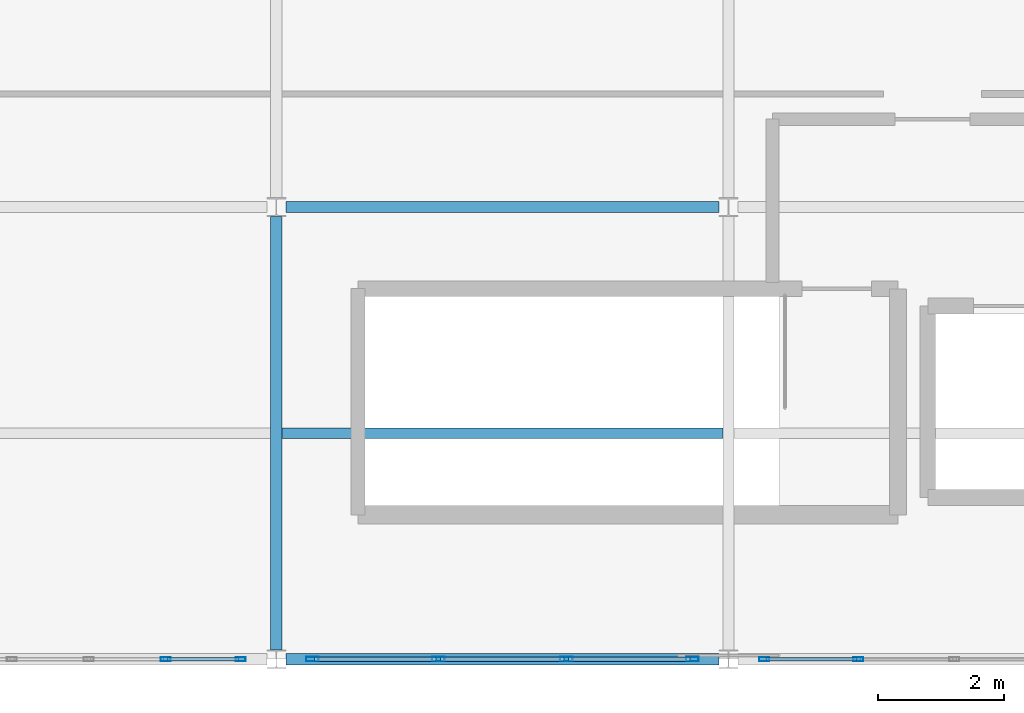
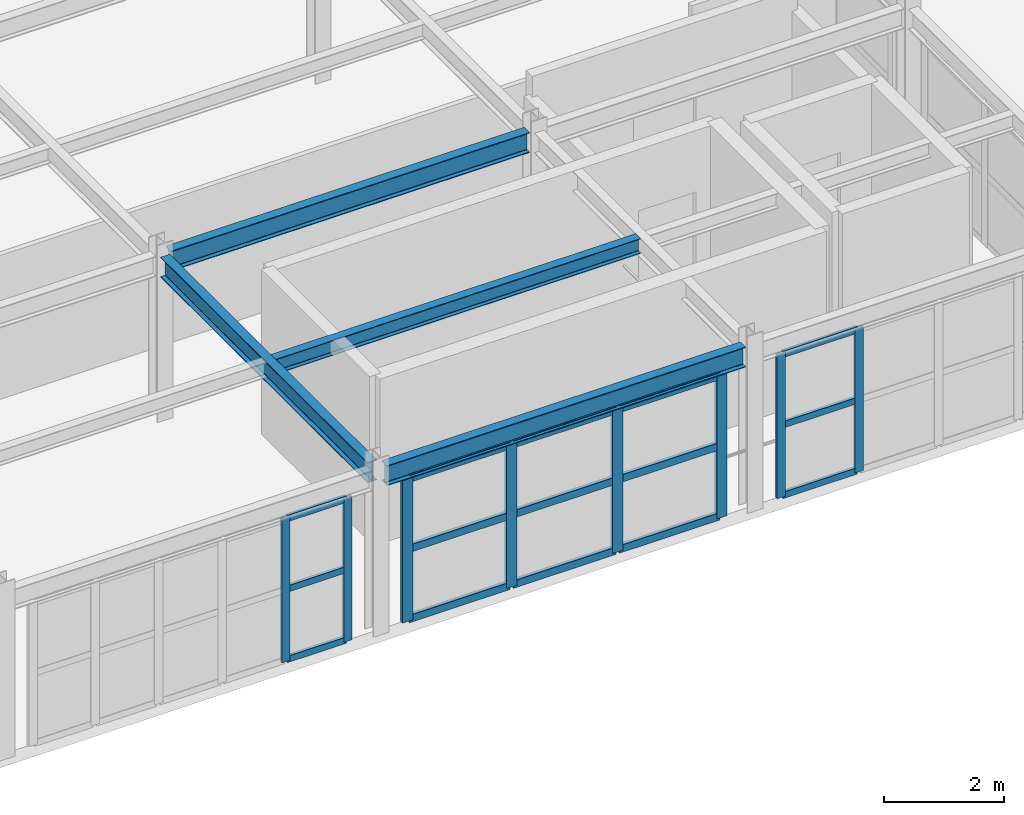
# One storey, part 41 of 73: 23 members, 4 beams, 3 elements without a shape of their own.
"""IFC4 building model written with IfcOpenShell, lengths in metres."""

import ifcopenshell
import ifcopenshell.guid

model = None  # the IFC model being written
_history = None  # IfcOwnerHistory: only IFC2X3 demands one
_inside = {}  # id of a spatial element -> (the spatial element, [elements in it])
_under = {}  # id of a project, library or spatial element -> (it, [spatial elements below it])
_declared = {}  # id of a project -> (the project, [libraries it declares])
_typed = {}  # id of a type object -> (the type object, [elements of that type])
_made_of = {}  # id of a material, layer set ... -> (it, [elements and type objects made of it])


def new_model(schema):
    """Start an empty IFC model of exactly this schema.

    Asked for "IFC4X3", IfcOpenShell would pick the latest addendum, in which some entities
    have other attributes; the version numbers below select the first issue.
    IFC2X3 requires an IfcOwnerHistory on every rooted entity: one is made here for all.
    """
    global model, _history
    if schema == "IFC4X3":
        model = ifcopenshell.file(schema_version=(4, 3, 0, 0))
    else:
        model = ifcopenshell.file(schema=schema)
    _inside.clear()
    _under.clear()
    _declared.clear()
    _typed.clear()
    _made_of.clear()
    _history = None
    if model.schema == "IFC2X3":
        org = make("IfcOrganization", Name="unknown")
        user = make(
            "IfcPersonAndOrganization",
            ThePerson=make("IfcPerson", FamilyName="unknown"),
            TheOrganization=org,
        )
        app = make(
            "IfcApplication",
            ApplicationDeveloper=org,
            Version="unknown",
            ApplicationFullName="unknown",
            ApplicationIdentifier="unknown",
        )
        _history = make(
            "IfcOwnerHistory",
            OwningUser=user,
            OwningApplication=app,
            ChangeAction="ADDED",
            CreationDate=0,
        )
    return model


def make(cls, **values):
    """One entity of the class cls with the attributes given. An attribute that is None is left unset."""
    return model.create_entity(
        cls, **{name: value for name, value in values.items() if value is not None}
    )


def rooted(cls, **values):
    """An entity with a GlobalId (a new one), such as an element, a storey or a relation."""
    return make(cls, GlobalId=ifcopenshell.guid.new(), OwnerHistory=_history, **values)


def si_unit(unit_type, name, prefix=None):
    """IfcSIUnit, for example si_unit("LENGTHUNIT", "METRE", prefix="MILLI")."""
    return make("IfcSIUnit", UnitType=unit_type, Prefix=prefix, Name=name)


def assignment(units):
    """IfcUnitAssignment: the units of a project."""
    return None if units is None else make("IfcUnitAssignment", Units=units)


def point(xyz):
    """IfcCartesianPoint."""
    return None if xyz is None else make("IfcCartesianPoint", Coordinates=xyz)


def direction(xyz):
    """IfcDirection."""
    return None if xyz is None else make("IfcDirection", DirectionRatios=xyz)


def frame(location, z_axis=None, x_axis=None):
    """IfcAxis2Placement3D, a coordinate frame: its origin and axes. An axis left out is left unset."""
    return make(
        "IfcAxis2Placement3D",
        Location=point(location),
        Axis=direction(z_axis),
        RefDirection=direction(x_axis),
    )


def frame_2d(location, x_axis=None):
    """IfcAxis2Placement2D, a coordinate frame in the plane: its origin and x axis."""
    return make(
        "IfcAxis2Placement2D", Location=point(location), RefDirection=direction(x_axis)
    )


def origin():
    """The frame at (0, 0, 0) with its axes left unset."""
    return frame((0.0, 0.0, 0.0))


def origin_2d():
    """The frame at (0, 0) in the plane with its x axis left unset."""
    return frame_2d((0.0, 0.0))


def place(relative_to, where):
    """IfcLocalPlacement: puts the frame where relative to a parent placement (None: the world)."""
    return make(
        "IfcLocalPlacement", PlacementRelTo=relative_to, RelativePlacement=where
    )


def context(
    kind, dimensions, precision=None, world=None, true_north=None, identifier=None
):
    """IfcGeometricRepresentationContext, for example the 3D "Model" context."""
    return make(
        "IfcGeometricRepresentationContext",
        ContextIdentifier=identifier,
        ContextType=kind,
        CoordinateSpaceDimension=dimensions,
        Precision=precision,
        WorldCoordinateSystem=world,
        TrueNorth=true_north,
    )


def subcontext(parent, identifier, kind, view, scale=None):
    """IfcGeometricRepresentationSubContext, for example "Body" below "Model"."""
    return make(
        "IfcGeometricRepresentationSubContext",
        ContextIdentifier=identifier,
        ContextType=kind,
        ParentContext=parent,
        TargetScale=scale,
        TargetView=view,
    )


def project(units=None, contexts=None):
    """IfcProject with its units and contexts."""
    return rooted(
        "IfcProject",
        Name="project",
        RepresentationContexts=contexts,
        UnitsInContext=assignment(units),
    )


def spatial(cls, under=None, at=None, **own):
    """A site, building, storey or space (cls), placed at a placement, below another one or the project."""
    s = rooted(cls, ObjectPlacement=at, **own)
    if under is not None:
        _under.setdefault(under.id(), (under, []))[1].append(s)
    return s


def profile(cls, at=None, kind="AREA", **sizes):
    """A parametric profile (cls). Its sizes go by their IFC names, for example OverallWidth=200.0."""
    return make(cls, ProfileType=kind, Position=at, **sizes)


def hollow_rectangle(**sizes):
    """IfcRectangleHollowProfileDef."""
    return profile("IfcRectangleHollowProfileDef", **sizes)


def i_section(**sizes):
    """IfcIShapeProfileDef."""
    return profile("IfcIShapeProfileDef", **sizes)


def extrude(swept, where, along, depth):
    """IfcExtrudedAreaSolid: the profile swept, set in the frame where, extruded along a direction by depth."""
    return make(
        "IfcExtrudedAreaSolid",
        SweptArea=swept,
        Position=where,
        ExtrudedDirection=direction(along),
        Depth=depth,
    )


def shape(context_of_items, identifier, shape_type, items):
    """IfcShapeRepresentation: the items that make up one representation, for example the "Body"."""
    return make(
        "IfcShapeRepresentation",
        ContextOfItems=context_of_items,
        RepresentationIdentifier=identifier,
        RepresentationType=shape_type,
        Items=items,
    )


def material(Name=None, Category=None):
    """IfcMaterial."""
    return make("IfcMaterial", Name=Name, Category=Category)


def layer(
    of_material, thickness, ventilated=None, Name=None, Category=None, Priority=None
):
    """IfcMaterialLayer: one layer of a wall or slab, of a material (None: an air gap)."""
    return make(
        "IfcMaterialLayer",
        Material=of_material,
        LayerThickness=thickness,
        IsVentilated=ventilated,
        Name=Name,
        Category=Category,
        Priority=Priority,
    )


def layer_set(layers, Name=None):
    """IfcMaterialLayerSet."""
    return make("IfcMaterialLayerSet", MaterialLayers=layers, LayerSetName=Name)


def material_profile(
    of_material, cross_section, Name=None, Category=None, Priority=None
):
    """IfcMaterialProfile: a cross section and its material."""
    return make(
        "IfcMaterialProfile",
        Name=Name,
        Material=of_material,
        Profile=cross_section,
        Priority=Priority,
        Category=Category,
    )


def profile_set(profiles, Name=None, composite=None):
    """IfcMaterialProfileSet."""
    return make(
        "IfcMaterialProfileSet",
        Name=Name,
        MaterialProfiles=profiles,
        CompositeProfile=composite,
    )


def made_of(thing, what):
    """Note that an element or type object is made of a material, layer set ...; save() writes the relation."""
    if what is not None:
        _made_of.setdefault(what.id(), (what, []))[1].append(thing)
    return thing


def type_object(cls, material=None, **own):
    """A type object (cls), such as IfcWallType, which elements share."""
    return made_of(rooted(cls, **own), material)


def element(
    cls,
    number,
    at=None,
    inside=None,
    cuts=None,
    type_object=None,
    material=None,
    context=None,
    identifier="Body",
    shape_type=None,
    held_by="IfcProductDefinitionShape",
    body=None,
    shapes=None,
    **own,
):
    """One element of the class cls, such as IfcWall. Its Tag is "e" and its number.

    at: its placement. inside: the storey or other place that contains it. cuts: it is an
    opening in that element (IfcRelVoidsElement). A single representation is given by context,
    identifier, shape_type and body (its items); several are given by shapes. held_by: the class
    of the entity that holds the representations. save() writes the other relations.
    """
    e = rooted(cls, Tag="e%d" % number, ObjectPlacement=at, **own)
    if body is not None:
        shapes = [shape(context, identifier, shape_type, body)]
    if shapes is not None:
        e.Representation = make(held_by, Representations=shapes)
    if inside is not None:
        _inside.setdefault(inside.id(), (inside, []))[1].append(e)
    if cuts is not None:
        rooted(
            "IfcRelVoidsElement", RelatingBuildingElement=cuts, RelatedOpeningElement=e
        )
    if type_object is not None:
        _typed.setdefault(type_object.id(), (type_object, []))[1].append(e)
    return made_of(e, material)


def aggregate(whole, parts):
    """IfcRelAggregates: a whole, such as a stair, and the parts it consists of."""
    return rooted("IfcRelAggregates", RelatingObject=whole, RelatedObjects=parts)


def save(model, path):
    """Write the relations noted so far, then the file.

    IfcRelAggregates (storeys below a building ...), IfcRelContainedInSpatialStructure (elements
    in a storey), IfcRelDefinesByType, IfcRelAssociatesMaterial and IfcRelDeclares: one each for
    every whole, place, type object, material and project.
    """
    for whole, parts in _under.values():
        aggregate(whole, parts)
    for where, things in _inside.values():
        rooted(
            "IfcRelContainedInSpatialStructure",
            RelatedElements=things,
            RelatingStructure=where,
        )
    for kind, things in _typed.values():
        rooted("IfcRelDefinesByType", RelatedObjects=things, RelatingType=kind)
    for what, things in _made_of.values():
        rooted("IfcRelAssociatesMaterial", RelatedObjects=things, RelatingMaterial=what)
    for by, libraries in _declared.values():
        rooted("IfcRelDeclares", RelatingContext=by, RelatedDefinitions=libraries)
    model.write(path)


model = new_model("IFC4")

# Units and contexts
model_context = context("Model", 3, precision=1e-05, world=origin(), true_north=direction((0.0, 1.0)))
body_context = subcontext(model_context, "Body", "Model", "MODEL_VIEW")
ifc_project = project(units=[si_unit("LENGTHUNIT", "METRE"), si_unit("AREAUNIT", "SQUARE_METRE"), si_unit("VOLUMEUNIT", "CUBIC_METRE"), si_unit("PLANEANGLEUNIT", "RADIAN"), si_unit("MASSUNIT", "GRAM", prefix="KILO")], contexts=[model_context])

# Site, building, storey
site_placement = place(None, origin())
site = spatial("IfcSite", under=ifc_project, at=site_placement, CompositionType="ELEMENT")
building_placement = place(site_placement, origin())
building = spatial("IfcBuilding", under=site, at=building_placement, Name="Carrowvane Square Congress Hotel", CompositionType="ELEMENT")
storey_placement = place(building_placement, frame((0.0, 0.0, 19.199951171875)))
storey = spatial("IfcBuildingStorey", under=building, at=storey_placement, Name="L04", CompositionType="ELEMENT", Elevation=19.199951171875)

# Beams
ifc_material_1 = material(Name="Steel S355", Category="steel")
ifc_material_profile_1 = material_profile(ifc_material_1, i_section(OverallWidth=0.165771484375, OverallDepth=0.306640625, WebThickness=0.006591796875, FlangeThickness=0.01171875, FilletRadius=0.0087890625, at=origin_2d()), Name="UKB 305x165x46")
ifc_profile_set_1 = profile_set([ifc_material_profile_1], Name="Steel S355")
beam_type_1 = type_object("IfcBeamType", Name="BM-ST-UKB305", PredefinedType="JOIST", material=ifc_profile_set_1)
beam_placement = place(storey_placement, frame((162.889404296875, 59.39990234375, 3.19677734375), z_axis=(1.0, 0.0, 0.0), x_axis=(0.0, 1.0, 0.0)))
element("IfcBeam", 1, at=beam_placement, inside=storey, type_object=beam_type_1, Name="L05 secondary joist 22-23", PredefinedType="JOIST", context=body_context, shape_type="SweptSolid", body=[
    extrude(i_section(OverallWidth=0.165771484375, OverallDepth=0.306640625, WebThickness=0.006591796875, FlangeThickness=0.01171875, FilletRadius=0.0087890625, at=origin_2d()), origin(), (0.0, 0.0, 1.0), 7.021240234375),
])
ifc_material_2 = material(Name="Steel S355", Category="steel")
ifc_material_profile_2 = material_profile(ifc_material_2, i_section(OverallWidth=0.1787109375, OverallDepth=0.409423828125, WebThickness=0.0087890625, FlangeThickness=0.014404296875, FilletRadius=0.01025390625, at=origin_2d()), Name="UKB 406x178x67")
ifc_profile_set_2 = profile_set([ifc_material_profile_2], Name="Steel S355")
beam_type_2 = type_object("IfcBeamType", Name="BM-ST-UKB406", PredefinedType="BEAM", material=ifc_profile_set_2)
for number, where, z_axis, x_axis, name in (
    (2, (162.949951171875, 55.800048828125, 3.145263671875), (1.0, 0.0, 0.0), (0.0, 1.0, 0.0), "L05 girder H/22-23"),
    (3, (162.949951171875, 63.0, 3.145263671875), (1.0, 0.0, 0.0), (0.0, 1.0, 0.0), "L05 girder J/22-23"),
    (4, (162.800048828125, 55.949951171875, 3.145263671875), (0.0, 1.0, 0.0), (-1.0, 0.0, 0.0), "L05 girder 22/H-J"),
):
    element("IfcBeam", number, at=place(storey_placement, frame(where, z_axis=z_axis, x_axis=x_axis)), inside=storey, type_object=beam_type_2, Name=name, PredefinedType="BEAM", context=body_context, shape_type="SweptSolid", body=[
        extrude(i_section(OverallWidth=0.1787109375, OverallDepth=0.409423828125, WebThickness=0.0087890625, FlangeThickness=0.014404296875, FilletRadius=0.01025390625, at=origin_2d()), origin(), (0.0, 0.0, 1.0), 6.900146484375),
    ])

# Curtain wall, members
ifc_material_3 = material(Name="Anodised aluminium", Category="aluminium")
ifc_layer_1 = layer(ifc_material_3, 0.2099609375)
ifc_layer_set_1 = layer_set([ifc_layer_1], Name="Anodised aluminium")
curtain_wall_type_1 = type_object("IfcCurtainWallType", Name="CW-SYS-5", PredefinedType="NOTDEFINED", material=ifc_layer_set_1)
curtain_wall_1_placement = place(storey_placement, origin())
curtain_wall_1 = element("IfcCurtainWall", 5, at=curtain_wall_1_placement, inside=storey, type_object=curtain_wall_type_1, Name="L04 unitised curtain wall 300", PredefinedType="NOTDEFINED")
ifc_material_4 = material(Name="Anodised aluminium", Category="aluminium")
ifc_material_profile_3 = material_profile(ifc_material_4, hollow_rectangle(XDim=0.06005859375, YDim=0.159912109375, WallThickness=0.00390625, at=origin_2d()), Name="CW-ML 60x160x4")
ifc_profile_set_3 = profile_set([ifc_material_profile_3], Name="Anodised aluminium")
member_type_1 = type_object("IfcMemberType", Name="CW-MUL-1", PredefinedType="MULLION", material=ifc_profile_set_3)
member_1_placement = place(storey_placement, frame((172.070068359375, 55.800048828125, 0.0), z_axis=(0.0, 0.0, 1.0), x_axis=(0.0, -1.0, 0.0)))
member_1 = element("IfcMember", 6, at=member_1_placement, type_object=member_type_1, Name="CW-5 mullion 4", PredefinedType="MULLION", context=body_context, shape_type="SweptSolid", body=[
    extrude(hollow_rectangle(XDim=0.06005859375, YDim=0.159912109375, WallThickness=0.00390625, at=origin_2d()), origin(), (0.0, 0.0, 1.0), 2.925537109375),
])
member_2_placement = place(storey_placement, frame((170.570068359375, 55.800048828125, 0.0), z_axis=(0.0, 0.0, 1.0), x_axis=(0.0, -1.0, 0.0)))
member_2 = element("IfcMember", 7, at=member_2_placement, type_object=member_type_1, Name="CW-5 mullion 5", PredefinedType="MULLION", context=body_context, shape_type="SweptSolid", body=[
    extrude(hollow_rectangle(XDim=0.06005859375, YDim=0.159912109375, WallThickness=0.00390625, at=origin_2d()), origin(), (0.0, 0.0, 1.0), 2.925537109375),
])

ifc_material_5 = material(Name="Anodised aluminium", Category="aluminium")
ifc_layer_2 = layer(ifc_material_5, 0.23388671875)
ifc_layer_set_2 = layer_set([ifc_layer_2], Name="Anodised aluminium")
curtain_wall_type_2 = type_object("IfcCurtainWallType", Name="CW-SYS-7", PredefinedType="NOTDEFINED", material=ifc_layer_set_2)
curtain_wall_2_placement = place(storey_placement, origin())
curtain_wall_2 = element("IfcCurtainWall", 8, at=curtain_wall_2_placement, inside=storey, type_object=curtain_wall_type_2, Name="L04 unitised curtain wall 302", PredefinedType="NOTDEFINED")
member_3_placement = place(storey_placement, frame((162.22998046875, 55.800048828125, 0.0), z_axis=(0.0, 0.0, 1.0), x_axis=(0.0, -1.0, 0.0)))
member_3 = element("IfcMember", 9, at=member_3_placement, type_object=member_type_1, Name="CW-7 mullion 1", PredefinedType="MULLION", context=body_context, shape_type="SweptSolid", body=[
    extrude(hollow_rectangle(XDim=0.06005859375, YDim=0.159912109375, WallThickness=0.00390625, at=origin_2d()), origin(), (0.0, 0.0, 1.0), 2.925537109375),
])
member_4_placement = place(storey_placement, frame((161.035888671875, 55.800048828125, 0.0), z_axis=(0.0, 0.0, 1.0), x_axis=(0.0, -1.0, 0.0)))
member_4 = element("IfcMember", 10, at=member_4_placement, type_object=member_type_1, Name="CW-7 mullion 2", PredefinedType="MULLION", context=body_context, shape_type="SweptSolid", body=[
    extrude(hollow_rectangle(XDim=0.06005859375, YDim=0.159912109375, WallThickness=0.00390625, at=origin_2d()), origin(), (0.0, 0.0, 1.0), 2.925537109375),
])

ifc_material_6 = material(Name="Anodised aluminium", Category="aluminium")
ifc_layer_3 = layer(ifc_material_6, 0.221923828125)
ifc_layer_set_3 = layer_set([ifc_layer_3], Name="Anodised aluminium")
curtain_wall_type_3 = type_object("IfcCurtainWallType", Name="CW-SYS-6", PredefinedType="NOTDEFINED", material=ifc_layer_set_3)
curtain_wall_3_placement = place(storey_placement, origin())
curtain_wall_3 = element("IfcCurtainWall", 11, at=curtain_wall_3_placement, inside=storey, type_object=curtain_wall_type_3, Name="L04 unitised curtain wall 301", PredefinedType="NOTDEFINED")
ifc_material_7 = material(Name="Anodised aluminium", Category="aluminium")
ifc_material_profile_4 = material_profile(ifc_material_7, hollow_rectangle(XDim=0.070068359375, YDim=0.199951171875, WallThickness=0.0048828125, at=origin_2d()), Name="CW-ML 70x200x5")
ifc_profile_set_4 = profile_set([ifc_material_profile_4], Name="Anodised aluminium")
member_type_2 = type_object("IfcMemberType", Name="CW-MUL-2", PredefinedType="MULLION", material=ifc_profile_set_4)
member_5_placement = place(storey_placement, frame((169.425048828125, 55.800048828125, 0.0), z_axis=(0.0, 0.0, 1.0), x_axis=(0.0, -1.0, 0.0)))
member_5 = element("IfcMember", 12, at=member_5_placement, type_object=member_type_2, Name="CW-6 mullion 1", PredefinedType="MULLION", context=body_context, shape_type="SweptSolid", body=[
    extrude(hollow_rectangle(XDim=0.070068359375, YDim=0.199951171875, WallThickness=0.0048828125, at=origin_2d()), origin(), (0.0, 0.0, 1.0), 2.925537109375),
])
member_6_placement = place(storey_placement, frame((167.419921875, 55.800048828125, 0.0), z_axis=(0.0, 0.0, 1.0), x_axis=(0.0, -1.0, 0.0)))
member_6 = element("IfcMember", 13, at=member_6_placement, type_object=member_type_2, Name="CW-6 mullion 2", PredefinedType="MULLION", context=body_context, shape_type="SweptSolid", body=[
    extrude(hollow_rectangle(XDim=0.070068359375, YDim=0.199951171875, WallThickness=0.0048828125, at=origin_2d()), origin(), (0.0, 0.0, 1.0), 2.925537109375),
])
member_7_placement = place(storey_placement, frame((165.3798828125, 55.800048828125, 0.0), z_axis=(0.0, 0.0, 1.0), x_axis=(0.0, -1.0, 0.0)))
member_7 = element("IfcMember", 14, at=member_7_placement, type_object=member_type_2, Name="CW-6 mullion 3", PredefinedType="MULLION", context=body_context, shape_type="SweptSolid", body=[
    extrude(hollow_rectangle(XDim=0.070068359375, YDim=0.199951171875, WallThickness=0.0048828125, at=origin_2d()), origin(), (0.0, 0.0, 1.0), 2.925537109375),
])
member_8_placement = place(storey_placement, frame((163.375, 55.800048828125, 0.0), z_axis=(0.0, 0.0, 1.0), x_axis=(0.0, -1.0, 0.0)))
member_8 = element("IfcMember", 15, at=member_8_placement, type_object=member_type_2, Name="CW-6 mullion 4", PredefinedType="MULLION", context=body_context, shape_type="SweptSolid", body=[
    extrude(hollow_rectangle(XDim=0.070068359375, YDim=0.199951171875, WallThickness=0.0048828125, at=origin_2d()), origin(), (0.0, 0.0, 1.0), 2.925537109375),
])

# Member
ifc_material_8 = material(Name="Anodised aluminium", Category="aluminium")
ifc_material_profile_5 = material_profile(ifc_material_8, hollow_rectangle(XDim=0.06005859375, YDim=0.1298828125, WallThickness=0.00390625, at=origin_2d()), Name="CW-TR 60x130x4")
ifc_profile_set_5 = profile_set([ifc_material_profile_5], Name="Anodised aluminium")
member_type_3 = type_object("IfcMemberType", Name="CW-TRN-1", PredefinedType="USERDEFINED", material=ifc_profile_set_5)
member_9_placement = place(storey_placement, frame((172.0400390625, 55.800048828125, 0.030029296875), z_axis=(-1.0, 0.0, 0.0), x_axis=(0.0, -1.0, 0.0)))
member_9 = element("IfcMember", 16, at=member_9_placement, type_object=member_type_3, Name="CW-5 transom 4.1", ObjectType="TRANSOM", PredefinedType="USERDEFINED", context=body_context, shape_type="SweptSolid", body=[
    extrude(hollow_rectangle(XDim=0.06005859375, YDim=0.1298828125, WallThickness=0.00390625, at=origin_2d()), origin(), (0.0, 0.0, 1.0), 1.43994140625),
])

member_10_placement = place(storey_placement, frame((172.0400390625, 55.800048828125, 1.462890625), z_axis=(-1.0, 0.0, 0.0), x_axis=(0.0, -1.0, 0.0)))
member_10 = element("IfcMember", 17, at=member_10_placement, type_object=member_type_3, Name="CW-5 transom 4.2", ObjectType="TRANSOM", PredefinedType="USERDEFINED", context=body_context, shape_type="SweptSolid", body=[
    extrude(hollow_rectangle(XDim=0.06005859375, YDim=0.1298828125, WallThickness=0.00390625, at=origin_2d()), origin(), (0.0, 0.0, 1.0), 1.43994140625),
])

member_11_placement = place(storey_placement, frame((172.0400390625, 55.800048828125, 2.895751953125), z_axis=(-1.0, 0.0, 0.0), x_axis=(0.0, -1.0, 0.0)))
member_11 = element("IfcMember", 18, at=member_11_placement, type_object=member_type_3, Name="CW-5 transom 4.3", ObjectType="TRANSOM", PredefinedType="USERDEFINED", context=body_context, shape_type="SweptSolid", body=[
    extrude(hollow_rectangle(XDim=0.06005859375, YDim=0.1298828125, WallThickness=0.00390625, at=origin_2d()), origin(), (0.0, 0.0, 1.0), 1.43994140625),
])

aggregate(curtain_wall_1, [member_1, member_2, member_9, member_10, member_11])

member_12_placement = place(storey_placement, frame((162.199951171875, 55.800048828125, 0.030029296875), z_axis=(-1.0, 0.0, 0.0), x_axis=(0.0, -1.0, 0.0)))
member_12 = element("IfcMember", 19, at=member_12_placement, type_object=member_type_3, Name="CW-7 transom 1.1", ObjectType="TRANSOM", PredefinedType="USERDEFINED", context=body_context, shape_type="SweptSolid", body=[
    extrude(hollow_rectangle(XDim=0.06005859375, YDim=0.1298828125, WallThickness=0.00390625, at=origin_2d()), origin(), (0.0, 0.0, 1.0), 1.134033203125),
])

member_13_placement = place(storey_placement, frame((162.199951171875, 55.800048828125, 1.462890625), z_axis=(-1.0, 0.0, 0.0), x_axis=(0.0, -1.0, 0.0)))
member_13 = element("IfcMember", 20, at=member_13_placement, type_object=member_type_3, Name="CW-7 transom 1.2", ObjectType="TRANSOM", PredefinedType="USERDEFINED", context=body_context, shape_type="SweptSolid", body=[
    extrude(hollow_rectangle(XDim=0.06005859375, YDim=0.1298828125, WallThickness=0.00390625, at=origin_2d()), origin(), (0.0, 0.0, 1.0), 1.134033203125),
])

member_14_placement = place(storey_placement, frame((162.199951171875, 55.800048828125, 2.895751953125), z_axis=(-1.0, 0.0, 0.0), x_axis=(0.0, -1.0, 0.0)))
member_14 = element("IfcMember", 21, at=member_14_placement, type_object=member_type_3, Name="CW-7 transom 1.3", ObjectType="TRANSOM", PredefinedType="USERDEFINED", context=body_context, shape_type="SweptSolid", body=[
    extrude(hollow_rectangle(XDim=0.06005859375, YDim=0.1298828125, WallThickness=0.00390625, at=origin_2d()), origin(), (0.0, 0.0, 1.0), 1.134033203125),
])

aggregate(curtain_wall_2, [member_3, member_4, member_12, member_13, member_14])

ifc_material_9 = material(Name="Anodised aluminium", Category="aluminium")
ifc_material_profile_6 = material_profile(ifc_material_9, hollow_rectangle(XDim=0.070068359375, YDim=0.14990234375, WallThickness=0.0048828125, at=origin_2d()), Name="CW-TR 70x150x5")
ifc_profile_set_6 = profile_set([ifc_material_profile_6], Name="Anodised aluminium")
member_type_4 = type_object("IfcMemberType", Name="CW-TRN-2", PredefinedType="USERDEFINED", material=ifc_profile_set_6)
member_15_placement = place(storey_placement, frame((169.389892578125, 55.800048828125, 0.03515625), z_axis=(-1.0, 0.0, 0.0), x_axis=(0.0, -1.0, 0.0)))
member_15 = element("IfcMember", 22, at=member_15_placement, type_object=member_type_4, Name="CW-6 transom 1.1", ObjectType="TRANSOM", PredefinedType="USERDEFINED", context=body_context, shape_type="SweptSolid", body=[
    extrude(hollow_rectangle(XDim=0.070068359375, YDim=0.14990234375, WallThickness=0.0048828125, at=origin_2d()), origin(), (0.0, 0.0, 1.0), 1.934814453125),
])

member_16_placement = place(storey_placement, frame((169.389892578125, 55.800048828125, 1.462890625), z_axis=(-1.0, 0.0, 0.0), x_axis=(0.0, -1.0, 0.0)))
member_16 = element("IfcMember", 23, at=member_16_placement, type_object=member_type_4, Name="CW-6 transom 1.2", ObjectType="TRANSOM", PredefinedType="USERDEFINED", context=body_context, shape_type="SweptSolid", body=[
    extrude(hollow_rectangle(XDim=0.070068359375, YDim=0.14990234375, WallThickness=0.0048828125, at=origin_2d()), origin(), (0.0, 0.0, 1.0), 1.934814453125),
])

member_17_placement = place(storey_placement, frame((169.389892578125, 55.800048828125, 2.890625), z_axis=(-1.0, 0.0, 0.0), x_axis=(0.0, -1.0, 0.0)))
member_17 = element("IfcMember", 24, at=member_17_placement, type_object=member_type_4, Name="CW-6 transom 1.3", ObjectType="TRANSOM", PredefinedType="USERDEFINED", context=body_context, shape_type="SweptSolid", body=[
    extrude(hollow_rectangle(XDim=0.070068359375, YDim=0.14990234375, WallThickness=0.0048828125, at=origin_2d()), origin(), (0.0, 0.0, 1.0), 1.934814453125),
])

member_18_placement = place(storey_placement, frame((167.385009765625, 55.800048828125, 0.03515625), z_axis=(-1.0, 0.0, 0.0), x_axis=(0.0, -1.0, 0.0)))
member_18 = element("IfcMember", 25, at=member_18_placement, type_object=member_type_4, Name="CW-6 transom 2.1", ObjectType="TRANSOM", PredefinedType="USERDEFINED", context=body_context, shape_type="SweptSolid", body=[
    extrude(hollow_rectangle(XDim=0.070068359375, YDim=0.14990234375, WallThickness=0.0048828125, at=origin_2d()), origin(), (0.0, 0.0, 1.0), 1.969970703125),
])

member_19_placement = place(storey_placement, frame((167.385009765625, 55.800048828125, 1.462890625), z_axis=(-1.0, 0.0, 0.0), x_axis=(0.0, -1.0, 0.0)))
member_19 = element("IfcMember", 26, at=member_19_placement, type_object=member_type_4, Name="CW-6 transom 2.2", ObjectType="TRANSOM", PredefinedType="USERDEFINED", context=body_context, shape_type="SweptSolid", body=[
    extrude(hollow_rectangle(XDim=0.070068359375, YDim=0.14990234375, WallThickness=0.0048828125, at=origin_2d()), origin(), (0.0, 0.0, 1.0), 1.969970703125),
])

member_20_placement = place(storey_placement, frame((167.385009765625, 55.800048828125, 2.890625), z_axis=(-1.0, 0.0, 0.0), x_axis=(0.0, -1.0, 0.0)))
member_20 = element("IfcMember", 27, at=member_20_placement, type_object=member_type_4, Name="CW-6 transom 2.3", ObjectType="TRANSOM", PredefinedType="USERDEFINED", context=body_context, shape_type="SweptSolid", body=[
    extrude(hollow_rectangle(XDim=0.070068359375, YDim=0.14990234375, WallThickness=0.0048828125, at=origin_2d()), origin(), (0.0, 0.0, 1.0), 1.969970703125),
])

member_21_placement = place(storey_placement, frame((165.344970703125, 55.800048828125, 0.03515625), z_axis=(-1.0, 0.0, 0.0), x_axis=(0.0, -1.0, 0.0)))
member_21 = element("IfcMember", 28, at=member_21_placement, type_object=member_type_4, Name="CW-6 transom 3.1", ObjectType="TRANSOM", PredefinedType="USERDEFINED", context=body_context, shape_type="SweptSolid", body=[
    extrude(hollow_rectangle(XDim=0.070068359375, YDim=0.14990234375, WallThickness=0.0048828125, at=origin_2d()), origin(), (0.0, 0.0, 1.0), 1.93505859375),
])

member_22_placement = place(storey_placement, frame((165.344970703125, 55.800048828125, 1.462890625), z_axis=(-1.0, 0.0, 0.0), x_axis=(0.0, -1.0, 0.0)))
member_22 = element("IfcMember", 29, at=member_22_placement, type_object=member_type_4, Name="CW-6 transom 3.2", ObjectType="TRANSOM", PredefinedType="USERDEFINED", context=body_context, shape_type="SweptSolid", body=[
    extrude(hollow_rectangle(XDim=0.070068359375, YDim=0.14990234375, WallThickness=0.0048828125, at=origin_2d()), origin(), (0.0, 0.0, 1.0), 1.93505859375),
])

member_23_placement = place(storey_placement, frame((165.344970703125, 55.800048828125, 2.890625), z_axis=(-1.0, 0.0, 0.0), x_axis=(0.0, -1.0, 0.0)))
member_23 = element("IfcMember", 30, at=member_23_placement, type_object=member_type_4, Name="CW-6 transom 3.3", ObjectType="TRANSOM", PredefinedType="USERDEFINED", context=body_context, shape_type="SweptSolid", body=[
    extrude(hollow_rectangle(XDim=0.070068359375, YDim=0.14990234375, WallThickness=0.0048828125, at=origin_2d()), origin(), (0.0, 0.0, 1.0), 1.93505859375),
])

aggregate(curtain_wall_3, [member_5, member_6, member_7, member_8, member_15, member_16, member_17, member_18, member_19, member_20, member_21, member_22, member_23])

save(model, "model.ifc")
